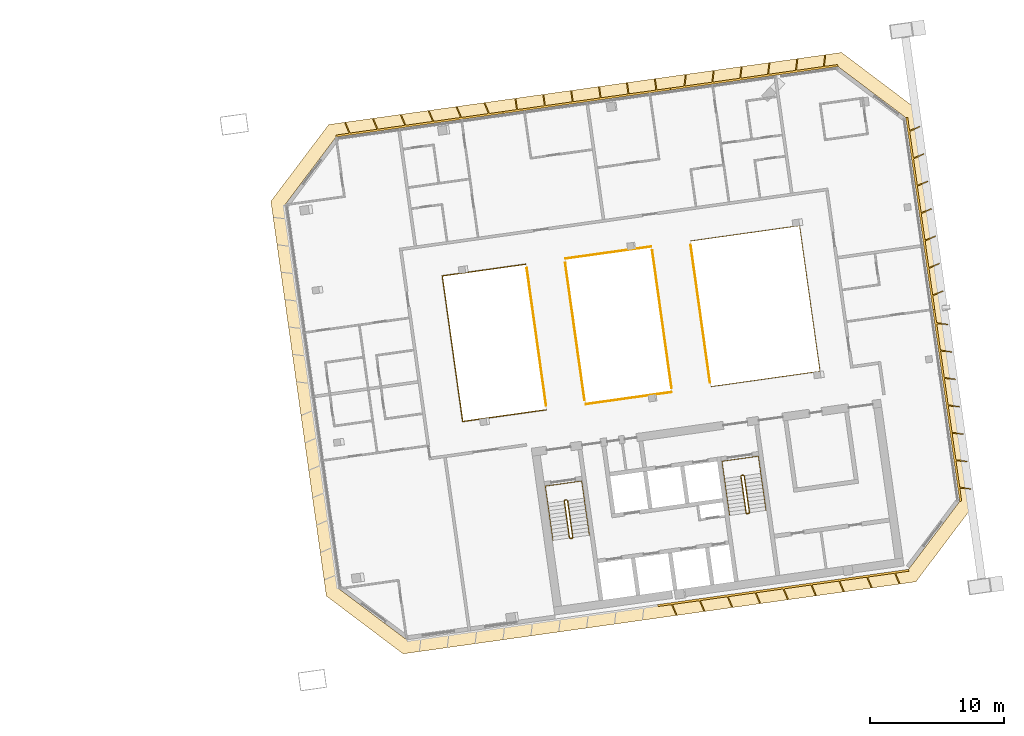
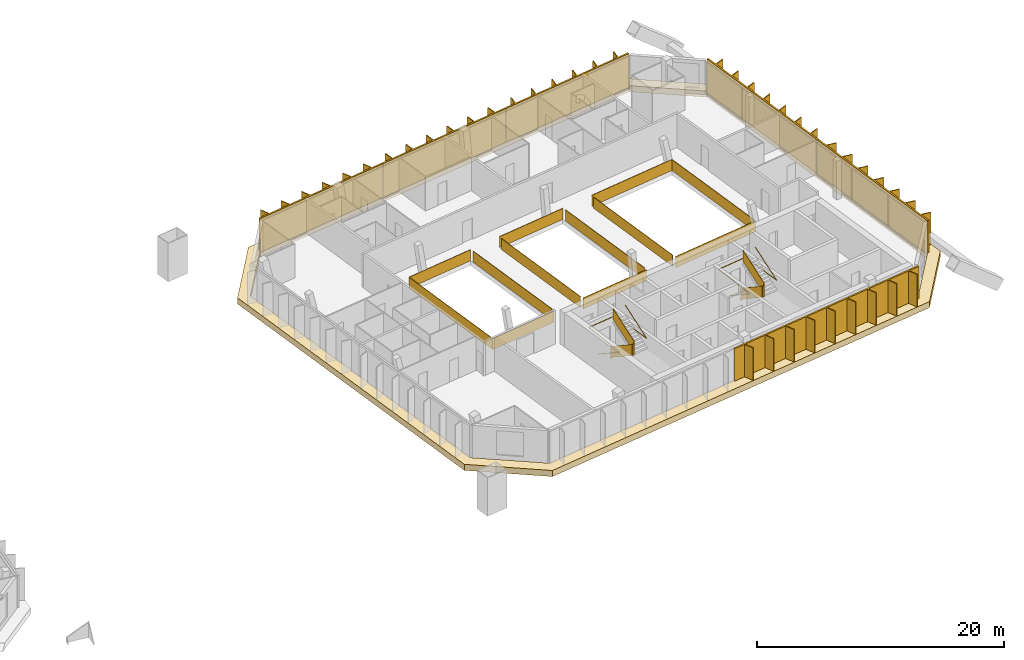
# One storey, part 25 of 25: 12 railings, 6 shading devices, 1 covering.
"""IFC4 building model written with IfcOpenShell, lengths in metres."""

from ifc_helpers import new_model, si_unit, direction, frame, origin, origin_2d, place, context, subcontext, project, spatial, polyline, rectangle, outline, extrude, material, layer, layer_set, type_object, element, save


model = new_model("IFC4")

# Units and contexts
model_context = context("Model", 3, precision=1e-05, world=origin(), true_north=direction((0.0, 1.0)))
body_context = subcontext(model_context, "Body", "Model", "MODEL_VIEW")
ifc_project = project(units=[si_unit("LENGTHUNIT", "METRE"), si_unit("AREAUNIT", "SQUARE_METRE"), si_unit("VOLUMEUNIT", "CUBIC_METRE"), si_unit("PLANEANGLEUNIT", "RADIAN"), si_unit("MASSUNIT", "GRAM", prefix="KILO")], contexts=[model_context])

# Site, building, storey
site_placement = place(None, origin())
site = spatial("IfcSite", under=ifc_project, at=site_placement, CompositionType="ELEMENT")
building_placement = place(site_placement, origin())
building = spatial("IfcBuilding", under=site, at=building_placement, Name="Mirante Cascada Hotel Towers", CompositionType="ELEMENT")
storey_placement = place(building_placement, frame((0.0, 0.0, 247.0)))
storey = spatial("IfcBuildingStorey", under=building, at=storey_placement, Name="L59", CompositionType="ELEMENT", Elevation=247.0)

# Railings
ifc_material_1 = material(Name="Toughened glass with stainless steel handrail", Category="steel")
railing_type_1 = type_object("IfcRailingType", Name="Atrium guard 1100 glass balustrade", PredefinedType="GUARDRAIL", material=ifc_material_1)
railing_1_placement = place(storey_placement, frame((35.1788, 6.4025, 0.0)))
element("IfcRailing", 1, at=railing_1_placement, inside=storey, type_object=railing_type_1, Name="GUARD 2-L59-1", PredefinedType="GUARDRAIL", context=body_context, shape_type="SweptSolid", body=[
    extrude(rectangle(XDim=0.048, YDim=0.048, at=origin_2d()), frame((0.0, 0.0, 1.076), z_axis=(-0.9902677, -0.1391758, 0.0), x_axis=(0.1391758, -0.9902677, 0.0)), (0.0, 0.0, 1.0), 6.2978),
    extrude(rectangle(XDim=0.02, YDim=1.052, at=origin_2d()), frame((0.0, 0.0, 0.526), z_axis=(-0.9902677, -0.1391758, 0.0), x_axis=(0.1391758, -0.9902677, 0.0)), (0.0, 0.0, 1.0), 6.2978),
    extrude(rectangle(XDim=0.048, YDim=0.048, at=origin_2d()), frame((-6.2365, -0.8765, 1.076), z_axis=(0.1391733, -0.990268, 0.0), x_axis=(0.990268, 0.1391733, 0.0)), (0.0, 0.0, 1.0), 11.0),
    extrude(rectangle(XDim=0.02, YDim=1.052, at=origin_2d()), frame((-6.2365, -0.8765, 0.526), z_axis=(0.1391733, -0.990268, 0.0), x_axis=(0.990268, 0.1391733, 0.0)), (0.0, 0.0, 1.0), 11.0),
    extrude(rectangle(XDim=0.048, YDim=0.048, at=origin_2d()), frame((-4.7056, -11.7694, 1.076), z_axis=(0.9902677, 0.1391758, 0.0), x_axis=(-0.1391758, 0.9902677, 0.0)), (0.0, 0.0, 1.0), 6.2978),
    extrude(rectangle(XDim=0.02, YDim=1.052, at=origin_2d()), frame((-4.7056, -11.7694, 0.526), z_axis=(0.9902677, 0.1391758, 0.0), x_axis=(-0.1391758, 0.9902677, 0.0)), (0.0, 0.0, 1.0), 6.2978),
])
railing_2_placement = place(storey_placement, frame((39.6805, -4.0729, 0.0)))
element("IfcRailing", 2, at=railing_2_placement, inside=storey, type_object=railing_type_1, Name="GUARD 2-L59-2", PredefinedType="GUARDRAIL", context=body_context, shape_type="SweptSolid", body=[
    extrude(rectangle(XDim=0.048, YDim=0.048, at=origin_2d()), frame((0.0, 0.0, 1.076), z_axis=(0.9902673, 0.1391787, 0.0), x_axis=(-0.1391787, 0.9902673, 0.0)), (0.0, 0.0, 1.0), 6.4809),
    extrude(rectangle(XDim=0.02, YDim=1.052, at=origin_2d()), frame((0.0, 0.0, 0.526), z_axis=(0.9902673, 0.1391787, 0.0), x_axis=(-0.1391787, 0.9902673, 0.0)), (0.0, 0.0, 1.0), 6.4809),
])
railing_3_placement = place(storey_placement, frame((44.5674, 7.722, 0.0)))
element("IfcRailing", 3, at=railing_3_placement, inside=storey, type_object=railing_type_1, Name="GUARD 2-L59-3", PredefinedType="GUARDRAIL", context=body_context, shape_type="SweptSolid", body=[
    extrude(rectangle(XDim=0.048, YDim=0.048, at=origin_2d()), frame((0.0, 0.0, 1.076), z_axis=(-0.9902673, -0.1391787, 0.0), x_axis=(0.1391787, -0.9902673, 0.0)), (0.0, 0.0, 1.0), 6.4809),
    extrude(rectangle(XDim=0.02, YDim=1.052, at=origin_2d()), frame((0.0, 0.0, 0.526), z_axis=(-0.9902673, -0.1391787, 0.0), x_axis=(0.1391787, -0.9902673, 0.0)), (0.0, 0.0, 1.0), 6.4809),
])
railing_4_placement = place(storey_placement, frame((49.0691, -2.7534, 0.0)))
element("IfcRailing", 4, at=railing_4_placement, inside=storey, type_object=railing_type_1, Name="GUARD 2-L59-4", PredefinedType="GUARDRAIL", context=body_context, shape_type="SweptSolid", body=[
    extrude(rectangle(XDim=0.048, YDim=0.048, at=origin_2d()), frame((0.0, 0.0, 1.076), z_axis=(0.9902678, 0.1391749, 0.0), x_axis=(-0.1391749, 0.9902678, 0.0)), (0.0, 0.0, 1.0), 8.2213),
    extrude(rectangle(XDim=0.02, YDim=1.052, at=origin_2d()), frame((0.0, 0.0, 0.526), z_axis=(0.9902678, 0.1391749, 0.0), x_axis=(-0.1391749, 0.9902678, 0.0)), (0.0, 0.0, 1.0), 8.2213),
    extrude(rectangle(XDim=0.048, YDim=0.048, at=origin_2d()), frame((8.1413, 1.1442, 1.076), z_axis=(-0.1391733, 0.990268, 0.0), x_axis=(-0.990268, -0.1391733, 0.0)), (0.0, 0.0, 1.0), 11.0),
    extrude(rectangle(XDim=0.02, YDim=1.052, at=origin_2d()), frame((8.1413, 1.1442, 0.526), z_axis=(-0.1391733, 0.990268, 0.0), x_axis=(-0.990268, -0.1391733, 0.0)), (0.0, 0.0, 1.0), 11.0),
    extrude(rectangle(XDim=0.048, YDim=0.048, at=origin_2d()), frame((6.6104, 12.0371, 1.076), z_axis=(-0.9902678, -0.1391749, 0.0), x_axis=(0.1391749, -0.9902678, 0.0)), (0.0, 0.0, 1.0), 8.2213),
    extrude(rectangle(XDim=0.02, YDim=1.052, at=origin_2d()), frame((6.6104, 12.0371, 0.526), z_axis=(-0.9902678, -0.1391749, 0.0), x_axis=(0.1391749, -0.9902678, 0.0)), (0.0, 0.0, 1.0), 8.2213),
])
railing_5_placement = place(storey_placement, frame((36.7171, -4.1908, 0.0)))
element("IfcRailing", 5, at=railing_5_placement, inside=storey, type_object=railing_type_1, Name="GUARD 2-L59-5", PredefinedType="GUARDRAIL", context=body_context, shape_type="SweptSolid", body=[
    extrude(rectangle(XDim=0.048, YDim=0.048, at=origin_2d()), frame((0.0, 0.0, 1.076), z_axis=(-0.1391721, 0.9902682, 0.0), x_axis=(-0.9902682, -0.1391721, 0.0)), (0.0, 0.0, 1.0), 10.4087),
    extrude(rectangle(XDim=0.02, YDim=1.052, at=origin_2d()), frame((0.0, 0.0, 0.526), z_axis=(-0.1391721, 0.9902682, 0.0), x_axis=(-0.9902682, -0.1391721, 0.0)), (0.0, 0.0, 1.0), 10.4087),
])
railing_6_placement = place(storey_placement, frame((38.1422, 6.5205, 0.0)))
element("IfcRailing", 6, at=railing_6_placement, inside=storey, type_object=railing_type_1, Name="GUARD 2-L59-6", PredefinedType="GUARDRAIL", context=body_context, shape_type="SweptSolid", body=[
    extrude(rectangle(XDim=0.048, YDim=0.048, at=origin_2d()), frame((0.0, 0.0, 1.076), z_axis=(0.1391708, -0.9902684, 0.0), x_axis=(0.9902684, 0.1391708, 0.0)), (0.0, 0.0, 1.0), 10.4088),
    extrude(rectangle(XDim=0.02, YDim=1.052, at=origin_2d()), frame((0.0, 0.0, 0.526), z_axis=(0.1391708, -0.9902684, 0.0), x_axis=(0.9902684, 0.1391708, 0.0)), (0.0, 0.0, 1.0), 10.4088),
])
railing_7_placement = place(storey_placement, frame((46.1057, -2.8714, 0.0)))
element("IfcRailing", 7, at=railing_7_placement, inside=storey, type_object=railing_type_1, Name="GUARD 2-L59-7", PredefinedType="GUARDRAIL", context=body_context, shape_type="SweptSolid", body=[
    extrude(rectangle(XDim=0.048, YDim=0.048, at=origin_2d()), frame((0.0, 0.0, 1.076), z_axis=(-0.1391721, 0.9902682, 0.0), x_axis=(-0.9902682, -0.1391721, 0.0)), (0.0, 0.0, 1.0), 10.4087),
    extrude(rectangle(XDim=0.02, YDim=1.052, at=origin_2d()), frame((0.0, 0.0, 0.526), z_axis=(-0.1391721, 0.9902682, 0.0), x_axis=(-0.9902682, -0.1391721, 0.0)), (0.0, 0.0, 1.0), 10.4087),
])
railing_8_placement = place(storey_placement, frame((47.5308, 7.8399, 0.0)))
element("IfcRailing", 8, at=railing_8_placement, inside=storey, type_object=railing_type_1, Name="GUARD 2-L59-8", PredefinedType="GUARDRAIL", context=body_context, shape_type="SweptSolid", body=[
    extrude(rectangle(XDim=0.048, YDim=0.048, at=origin_2d()), frame((0.0, 0.0, 1.076), z_axis=(0.1391721, -0.9902682, 0.0), x_axis=(0.9902682, 0.1391721, 0.0)), (0.0, 0.0, 1.0), 10.4087),
    extrude(rectangle(XDim=0.02, YDim=1.052, at=origin_2d()), frame((0.0, 0.0, 0.526), z_axis=(0.1391721, -0.9902682, 0.0), x_axis=(0.9902682, 0.1391721, 0.0)), (0.0, 0.0, 1.0), 10.4087),
])

# Covering
ifc_material_2 = material(Name="Precast concrete C40/50 white", Category="concrete")
ifc_layer = layer(ifc_material_2, 0.6)
ifc_layer_set = layer_set([ifc_layer], Name="Precast concrete SUNSHADE band 1000x600")
covering_type = type_object("IfcCoveringType", Name="Precast concrete SUNSHADE band 1000x600", PredefinedType="CLADDING", material=ifc_layer_set)
covering_placement = place(storey_placement, frame((0.0, 0.0, -0.45)))
element("IfcCovering", 9, at=covering_placement, inside=storey, type_object=covering_type, Name="Precast concrete SUNSHADE band T2 L59", PredefinedType="CLADDING", context=body_context, shape_type="SweptSolid", body=[
    extrude(outline(polyline([(16.1169, 11.1096), (20.4454, 16.8537), (58.8202, 22.247), (64.5643, 17.9185), (66.241, 5.988), (66.2184, 5.9746), (66.1895, 5.9535), (66.1628, 5.9296), (66.1385, 5.9032), (66.117, 5.8746), (66.0984, 5.844), (66.0828, 5.8117), (66.0705, 5.7781), (66.0616, 5.7434), (66.0561, 5.708), (66.0541, 5.6722), (66.0556, 5.6364), (66.1615, 4.4824), (66.1665, 4.4469), (66.175, 4.4121), (66.1868, 4.3783), (66.2019, 4.3458), (66.2201, 4.315), (66.2413, 4.286), (66.2652, 4.2593), (66.2915, 4.2351), (66.3202, 4.2136), (66.3508, 4.195), (66.383, 4.1794), (66.4167, 4.1671), (66.4514, 4.1582), (66.4868, 4.1527), (66.499, 4.152), (66.7808, 2.1468), (66.7693, 2.1428), (66.7367, 2.1277), (66.7059, 2.1096), (66.6769, 2.0885), (66.6502, 2.0647), (66.6259, 2.0383), (66.6043, 2.0097), (66.5856, 1.9792), (66.57, 1.9469), (66.5577, 1.9133), (66.5487, 1.8786), (66.5431, 1.8432), (66.541, 1.8075), (66.5425, 1.7717), (66.5475, 1.7362), (66.7638, 0.5977), (66.7722, 0.5628), (66.784, 0.529), (66.799, 0.4965), (66.8172, 0.4656), (66.8383, 0.4367), (66.8621, 0.4099), (66.8884, 0.3856), (66.917, 0.3641), (66.9476, 0.3454), (66.9798, 0.3298), (67.0134, 0.3174), (67.0389, 0.3108), (68.7156, -11.6197), (64.3871, -17.3638), (26.0123, -22.757), (20.2682, -18.4285), (16.1169, 11.1096)]), holes=[polyline([(67.6677, -11.3487), (63.6316, 17.3691), (58.5492, 21.199), (20.9947, 15.9211), (17.1648, 10.8386), (21.2008, -17.8791), (26.2833, -21.7091), (63.8377, -16.4311), (67.6677, -11.3487)])]), origin(), (0.0, 0.0, 1.0), 0.6),
])

# Railings
ifc_material_3 = material(Name="Painted steel", Category="steel")
railing_type_2 = type_object("IfcRailingType", Name="Stair guard 1100 steel balustrade", PredefinedType="GUARDRAIL", material=ifc_material_3)
railing_9_placement = place(storey_placement, frame((38.2663, -11.2395, 0.0)))
element("IfcRailing", 10, at=railing_9_placement, inside=storey, type_object=railing_type_2, Name="L59 ST2-A stair guard 1", PredefinedType="GUARDRAIL", context=body_context, shape_type="SweptSolid", body=[
    extrude(rectangle(XDim=0.048, YDim=0.048, at=origin_2d()), frame((0.0, 0.0, 1.076), z_axis=(-0.9903326, -0.1387133, 0.0), x_axis=(0.1387133, -0.9903326, 0.0)), (0.0, 0.0, 1.0), 0.1499),
    extrude(rectangle(XDim=0.02, YDim=1.052, at=origin_2d()), frame((0.0, 0.0, 0.526), z_axis=(-0.9903326, -0.1387133, 0.0), x_axis=(0.1387133, -0.9903326, 0.0)), (0.0, 0.0, 1.0), 0.1499),
    extrude(rectangle(XDim=0.048, YDim=0.048, at=origin_2d()), frame((-0.1485, -0.0208, 1.076), z_axis=(-0.6020331, -0.7984711, 0.0), x_axis=(0.7984711, -0.6020331, 0.0)), (0.0, 0.9253398, 0.3791387), 0.1866),
    extrude(rectangle(XDim=0.02, YDim=1.052, at=origin_2d()), frame((-0.1485, -0.0208, 0.526), z_axis=(-0.6020331, -0.7984711, 0.0), x_axis=(0.7984711, -0.6020331, 0.0)), (0.0, 0.9253398, 0.3791387), 0.1866),
    extrude(rectangle(XDim=0.048, YDim=0.048, at=origin_2d()), frame((-0.1911, -0.0773, 1.2487), z_axis=(0.139176, -0.9902677, 0.0), x_axis=(0.9902677, 0.139176, 0.0)), (0.0, 0.5250212, 0.8510891), 3.29),
    extrude(rectangle(XDim=0.02, YDim=1.052, at=origin_2d()), frame((-0.1911, -0.0773, 0.6987), z_axis=(0.139176, -0.9902677, 0.0), x_axis=(0.9902677, 0.139176, 0.0)), (0.0, 0.5250212, 0.8510891), 3.29),
    extrude(rectangle(XDim=0.048, YDim=0.048, at=origin_2d()), frame((0.1986, -2.8501, 2.976), z_axis=(0.9944948, -0.1047858, 0.0), x_axis=(0.1047858, 0.9944948, 0.0)), (0.0, 0.0, 1.0), 0.2061),
    extrude(rectangle(XDim=0.02, YDim=1.052, at=origin_2d()), frame((0.1986, -2.8501, 2.426), z_axis=(0.9944948, -0.1047858, 0.0), x_axis=(0.1047858, 0.9944948, 0.0)), (0.0, 0.0, 1.0), 0.2061),
    extrude(rectangle(XDim=0.048, YDim=0.048, at=origin_2d()), frame((0.4036, -2.8717, 2.976), z_axis=(-0.9902408, -0.1393672, 0.0), x_axis=(0.1393672, -0.9902408, 0.0)), (0.0, 0.0, 1.0), 0.15),
    extrude(rectangle(XDim=0.02, YDim=1.052, at=origin_2d()), frame((0.4036, -2.8717, 2.426), z_axis=(-0.9902408, -0.1393672, 0.0), x_axis=(0.1393672, -0.9902408, 0.0)), (0.0, 0.0, 1.0), 0.15),
    extrude(rectangle(XDim=0.048, YDim=0.048, at=origin_2d()), frame((0.2551, -2.8926, 2.976), z_axis=(0.9270311, 0.3749843, 0.0), x_axis=(-0.3749843, 0.9270311, 0.0)), (0.0, 0.6421903, 0.7665452), 0.2689),
    extrude(rectangle(XDim=0.02, YDim=1.052, at=origin_2d()), frame((0.2551, -2.8926, 2.426), z_axis=(0.9270311, 0.3749843, 0.0), x_axis=(-0.3749843, 0.9270311, 0.0)), (0.0, 0.6421903, 0.7665452), 0.2689),
    extrude(rectangle(XDim=0.048, YDim=0.048, at=origin_2d()), frame((0.4462, -2.8153, 3.1487), z_axis=(-0.139176, 0.9902677, 0.0), x_axis=(-0.9902677, -0.139176, 0.0)), (0.0, 0.5250212, 0.8510891), 3.29),
    extrude(rectangle(XDim=0.02, YDim=1.052, at=origin_2d()), frame((0.4462, -2.8153, 2.5987), z_axis=(-0.139176, 0.9902677, 0.0), x_axis=(-0.9902677, -0.139176, 0.0)), (0.0, 0.5250212, 0.8510891), 3.29),
])
railing_10_placement = place(storey_placement, frame((51.4864, -9.3815, 0.0)))
element("IfcRailing", 11, at=railing_10_placement, inside=storey, type_object=railing_type_2, Name="L59 ST2-B stair guard 1", PredefinedType="GUARDRAIL", context=body_context, shape_type="SweptSolid", body=[
    extrude(rectangle(XDim=0.048, YDim=0.048, at=origin_2d()), frame((0.0, 0.0, 1.076), z_axis=(-0.9902408, -0.1393672, 0.0), x_axis=(0.1393672, -0.9902408, 0.0)), (0.0, 0.0, 1.0), 0.15),
    extrude(rectangle(XDim=0.02, YDim=1.052, at=origin_2d()), frame((0.0, 0.0, 0.526), z_axis=(-0.9902408, -0.1393672, 0.0), x_axis=(0.1393672, -0.9902408, 0.0)), (0.0, 0.0, 1.0), 0.15),
    extrude(rectangle(XDim=0.048, YDim=0.048, at=origin_2d()), frame((-0.1485, -0.0209, 1.076), z_axis=(-0.6020331, -0.7984711, 0.0), x_axis=(0.7984711, -0.6020331, 0.0)), (0.0, 0.9253398, 0.3791387), 0.1866),
    extrude(rectangle(XDim=0.02, YDim=1.052, at=origin_2d()), frame((-0.1485, -0.0209, 0.526), z_axis=(-0.6020331, -0.7984711, 0.0), x_axis=(0.7984711, -0.6020331, 0.0)), (0.0, 0.9253398, 0.3791387), 0.1866),
    extrude(rectangle(XDim=0.048, YDim=0.048, at=origin_2d()), frame((-0.1911, -0.0774, 1.2487), z_axis=(0.139181, -0.990267, 0.0), x_axis=(0.990267, 0.139181, 0.0)), (0.0, 0.5250347, 0.8510808), 3.2899),
    extrude(rectangle(XDim=0.02, YDim=1.052, at=origin_2d()), frame((-0.1911, -0.0774, 0.6987), z_axis=(0.139181, -0.990267, 0.0), x_axis=(0.990267, 0.139181, 0.0)), (0.0, 0.5250347, 0.8510808), 3.2899),
    extrude(rectangle(XDim=0.048, YDim=0.048, at=origin_2d()), frame((0.1986, -2.8501, 2.976), z_axis=(0.9944441, -0.1052656, 0.0), x_axis=(0.1052656, 0.9944441, 0.0)), (0.0, 0.0, 1.0), 0.2061),
    extrude(rectangle(XDim=0.02, YDim=1.052, at=origin_2d()), frame((0.1986, -2.8501, 2.426), z_axis=(0.9944441, -0.1052656, 0.0), x_axis=(0.1052656, 0.9944441, 0.0)), (0.0, 0.0, 1.0), 0.2061),
    extrude(rectangle(XDim=0.048, YDim=0.048, at=origin_2d()), frame((0.4036, -2.8718, 2.976), z_axis=(-0.9902408, -0.1393672, 0.0), x_axis=(0.1393672, -0.9902408, 0.0)), (0.0, 0.0, 1.0), 0.15),
    extrude(rectangle(XDim=0.02, YDim=1.052, at=origin_2d()), frame((0.4036, -2.8718, 2.426), z_axis=(-0.9902408, -0.1393672, 0.0), x_axis=(0.1393672, -0.9902408, 0.0)), (0.0, 0.0, 1.0), 0.15),
    extrude(rectangle(XDim=0.048, YDim=0.048, at=origin_2d()), frame((0.2551, -2.8927, 2.976), z_axis=(0.9268624, 0.3754011, 0.0), x_axis=(-0.3754011, 0.9268624, 0.0)), (0.0, 0.6421217, 0.7666028), 0.269),
    extrude(rectangle(XDim=0.02, YDim=1.052, at=origin_2d()), frame((0.2551, -2.8927, 2.426), z_axis=(0.9268624, 0.3754011, 0.0), x_axis=(-0.3754011, 0.9268624, 0.0)), (0.0, 0.6421217, 0.7666028), 0.269),
    extrude(rectangle(XDim=0.048, YDim=0.048, at=origin_2d()), frame((0.4462, -2.8153, 3.1487), z_axis=(-0.139181, 0.990267, 0.0), x_axis=(-0.990267, -0.139181, 0.0)), (0.0, 0.5250347, 0.8510808), 3.2899),
    extrude(rectangle(XDim=0.02, YDim=1.052, at=origin_2d()), frame((0.4462, -2.8153, 2.5987), z_axis=(-0.139181, 0.990267, 0.0), x_axis=(-0.990267, -0.139181, 0.0)), (0.0, 0.5250347, 0.8510808), 3.2899),
])
ifc_material_4 = material(Name="Painted steel", Category="steel")
railing_type_3 = type_object("IfcRailingType", Name="Stair handrail 900 steel tube", PredefinedType="HANDRAIL", material=ifc_material_4)
railing_11_placement = place(storey_placement, frame((36.8374, -11.4908, 0.1727)))
element("IfcRailing", 12, at=railing_11_placement, inside=storey, type_object=railing_type_3, Name="L59 ST2-A stair handrail 1", PredefinedType="HANDRAIL", context=body_context, shape_type="SweptSolid", body=[
    extrude(rectangle(XDim=0.048, YDim=0.048, at=origin_2d()), frame((0.0, 0.0, 0.876), z_axis=(0.139181, -0.990267, 0.0), x_axis=(0.990267, 0.139181, 0.0)), (0.0, 0.5250347, 0.8510808), 3.2899),
    extrude(rectangle(XDim=0.048, YDim=0.048, at=origin_2d()), frame((0.3897, -2.7727, 2.6033), z_axis=(-0.1391707, 0.9902684, 0.0), x_axis=(-0.9902684, -0.1391707, 0.0)), (0.0, 0.0420846, 0.999114), 4.1036),
    extrude(rectangle(XDim=0.048, YDim=0.048, at=origin_2d()), frame((-0.1809, 1.2874, 2.776), z_axis=(0.9902691, 0.1391657, 0.0), x_axis=(-0.1391657, 0.9902691, 0.0)), (0.0, 0.0, 1.0), 2.75),
    extrude(rectangle(XDim=0.048, YDim=0.048, at=origin_2d()), frame((2.5423, 1.6701, 2.776), z_axis=(0.1391707, -0.9902684, 0.0), x_axis=(0.9902684, 0.1391707, 0.0)), (0.0, 0.0, 1.0), 4.1),
    extrude(rectangle(XDim=0.048, YDim=0.048, at=origin_2d()), frame((3.1129, -2.39, 2.776), z_axis=(-0.139181, 0.990267, 0.0), x_axis=(-0.990267, -0.139181, 0.0)), (0.0, 0.5250347, 0.8510808), 3.2899),
])
railing_12_placement = place(storey_placement, frame((50.0575, -9.6328, 0.1727)))
element("IfcRailing", 13, at=railing_12_placement, inside=storey, type_object=railing_type_3, Name="L59 ST2-B stair handrail 1", PredefinedType="HANDRAIL", context=body_context, shape_type="SweptSolid", body=[
    extrude(rectangle(XDim=0.048, YDim=0.048, at=origin_2d()), frame((0.0, 0.0, 0.876), z_axis=(0.139176, -0.9902677, 0.0), x_axis=(0.9902677, 0.139176, 0.0)), (0.0, 0.5250212, 0.8510891), 3.29),
    extrude(rectangle(XDim=0.048, YDim=0.048, at=origin_2d()), frame((0.3897, -2.7728, 2.6033), z_axis=(-0.1391707, 0.9902684, 0.0), x_axis=(-0.9902684, -0.1391707, 0.0)), (0.0, 0.0420846, 0.999114), 4.1036),
    extrude(rectangle(XDim=0.048, YDim=0.048, at=origin_2d()), frame((-0.1809, 1.2873, 2.776), z_axis=(0.9902641, 0.1392013, 0.0), x_axis=(-0.1392013, 0.9902641, 0.0)), (0.0, 0.0, 1.0), 2.75),
    extrude(rectangle(XDim=0.048, YDim=0.048, at=origin_2d()), frame((2.5423, 1.6701, 2.776), z_axis=(0.1391707, -0.9902684, 0.0), x_axis=(0.9902684, 0.1391707, 0.0)), (0.0, 0.0, 1.0), 4.1),
    extrude(rectangle(XDim=0.048, YDim=0.048, at=origin_2d()), frame((3.1129, -2.39, 2.776), z_axis=(-0.139181, 0.990267, 0.0), x_axis=(-0.990267, -0.139181, 0.0)), (0.0, 0.5250347, 0.8510808), 3.2899),
])

# Shading devices
ifc_material_5 = material(Name="White precast concrete C50/60 fin", Category="concrete")
shading_device_type = type_object("IfcShadingDeviceType", Name="Vertical fin set 4500x900", PredefinedType="USERDEFINED", material=ifc_material_5)
shading_device_1_placement = place(storey_placement, origin())
element("IfcShadingDevice", 14, at=shading_device_1_placement, inside=storey, type_object=shading_device_type, Name="FIN T2 L59 front 1", ObjectType="FIN", PredefinedType="USERDEFINED", context=body_context, shape_type="SweptSolid", body=[
    extrude(outline(polyline([(47.2097, 20.5738), (47.1076, 19.7425), (49.1119, 20.0242), (49.2166, 20.8768), (49.296, 20.867), (49.1939, 20.0357), (51.1983, 20.3174), (51.303, 21.17), (51.3824, 21.1602), (51.2803, 20.3289), (53.2846, 20.6106), (53.3893, 21.4632), (53.4687, 21.4534), (53.3667, 20.6222), (55.371, 20.9039), (55.4757, 21.7564), (55.5551, 21.7467), (55.453, 20.9154), (57.4574, 21.1971), (57.562, 22.0496), (57.6414, 22.0399), (57.5394, 21.2086), (58.5283, 21.3476), (58.5492, 21.199), (46.031, 19.4397), (46.0101, 19.5883), (47.0256, 19.731), (47.1303, 20.5835), (47.2097, 20.5738)])), origin(), (0.0, 0.0, 1.0), 3.35),
])
shading_device_2_placement = place(storey_placement, origin())
element("IfcShadingDevice", 15, at=shading_device_2_placement, inside=storey, type_object=shading_device_type, Name="FIN T2 L59 front 2", ObjectType="FIN", PredefinedType="USERDEFINED", context=body_context, shape_type="SweptSolid", body=[
    extrude(outline(polyline([(34.4565, 18.8229), (34.5748, 17.9811), (36.5819, 18.2632), (36.4636, 19.105), (36.5428, 19.1161), (36.6611, 18.2744), (38.6683, 18.5564), (38.55, 19.3982), (38.6292, 19.4093), (38.7475, 18.5676), (40.7546, 18.8497), (40.6363, 19.6914), (40.7156, 19.7025), (40.8339, 18.8608), (42.841, 19.1429), (42.7227, 19.9846), (42.8019, 19.9957), (42.9202, 19.154), (44.9273, 19.4361), (44.809, 20.2778), (44.8883, 20.289), (45.0066, 19.4472), (46.0101, 19.5883), (46.031, 19.4397), (33.5129, 17.6804), (33.492, 17.829), (34.4956, 17.97), (34.3773, 18.8117), (34.4565, 18.8229)])), origin(), (0.0, 0.0, 1.0), 3.35),
])
shading_device_3_placement = place(storey_placement, origin())
element("IfcShadingDevice", 16, at=shading_device_3_placement, inside=storey, type_object=shading_device_type, Name="FIN T2 L59 front 3", ObjectType="FIN", PredefinedType="USERDEFINED", context=body_context, shape_type="SweptSolid", body=[
    extrude(outline(polyline([(21.7091, 17.0108), (22.0448, 16.2202), (24.0491, 16.5019), (23.7219, 17.2728), (23.7955, 17.3041), (24.1311, 16.5134), (26.1355, 16.7951), (25.8082, 17.566), (25.8819, 17.5973), (26.2175, 16.8066), (28.2218, 17.0883), (27.8946, 17.8592), (27.9682, 17.8905), (28.3038, 17.0998), (30.3082, 17.3815), (29.9809, 18.1524), (30.0546, 18.1837), (30.3902, 17.393), (32.3945, 17.6747), (32.0673, 18.4457), (32.1409, 18.4769), (32.4766, 17.6863), (33.492, 17.829), (33.5129, 17.6804), (20.9947, 15.9211), (20.9738, 16.0697), (21.9627, 16.2086), (21.6355, 16.9796), (21.7091, 17.0108)])), origin(), (0.0, 0.0, 1.0), 3.35),
])
shading_device_4_placement = place(storey_placement, origin())
element("IfcShadingDevice", 17, at=shading_device_4_placement, inside=storey, type_object=shading_device_type, Name="FIN T2 L59 outer 1", ObjectType="FIN", PredefinedType="USERDEFINED", context=body_context, shape_type="SweptSolid", body=[
    extrude(outline(polyline([(68.511, -10.4585), (67.6797, -10.3564), (67.8162, -11.3278), (67.6677, -11.3487), (65.6497, 3.0102), (65.7982, 3.0311), (65.9384, 2.0332), (66.791, 1.9285), (66.7812, 1.8491), (65.95, 1.9512), (66.2267, -0.0181), (67.0793, -0.1227), (67.0695, -0.2021), (66.2382, -0.1001), (66.515, -2.0693), (67.3676, -2.174), (67.3578, -2.2534), (66.5265, -2.1513), (66.8033, -4.1206), (67.6558, -4.2253), (67.6461, -4.3047), (66.8148, -4.2026), (67.0916, -6.1719), (67.9441, -6.2765), (67.9344, -6.3559), (67.1031, -6.2539), (67.3799, -8.2231), (68.2324, -8.3278), (68.2227, -8.4072), (67.3914, -8.3052), (67.6682, -10.2744), (68.5207, -10.3791), (68.511, -10.4585)])), origin(), (0.0, 0.0, 1.0), 3.35),
])
shading_device_5_placement = place(storey_placement, origin())
element("IfcShadingDevice", 18, at=shading_device_5_placement, inside=storey, type_object=shading_device_type, Name="FIN T2 L59 outer 2", ObjectType="FIN", PredefinedType="USERDEFINED", context=body_context, shape_type="SweptSolid", body=[
    extrude(outline(polyline([(66.4486, 4.3646), (65.6579, 4.029), (65.7982, 3.0311), (65.6497, 3.0102), (63.6316, 17.3691), (63.7802, 17.39), (63.9167, 16.4186), (64.6876, 16.7459), (64.7189, 16.6722), (63.9282, 16.3366), (64.205, 14.3674), (64.9759, 14.6946), (65.0072, 14.621), (64.2165, 14.2853), (64.4933, 12.3161), (65.2642, 12.6433), (65.2955, 12.5697), (64.5048, 12.2341), (64.7816, 10.2648), (65.5525, 10.5921), (65.5838, 10.5184), (64.7931, 10.1828), (65.0698, 8.2136), (65.8408, 8.5408), (65.872, 8.4672), (65.0814, 8.1315), (65.3581, 6.1623), (66.1291, 6.4895), (66.1603, 6.4159), (65.3697, 6.0803), (65.6464, 4.111), (66.4174, 4.4383), (66.4486, 4.3646)])), origin(), (0.0, 0.0, 1.0), 3.35),
])
shading_device_6_placement = place(storey_placement, origin())
element("IfcShadingDevice", 19, at=shading_device_6_placement, inside=storey, type_object=shading_device_type, Name="FIN T2 L59 rear 2", ObjectType="FIN", PredefinedType="USERDEFINED", context=body_context, shape_type="SweptSolid", body=[
    extrude(outline(polyline([(46.4324, -19.8666), (46.0968, -19.0759), (45.0814, -19.2186), (45.0605, -19.0701), (63.8377, -16.4311), (63.8586, -16.5797), (62.8697, -16.7187), (63.1969, -17.4896), (63.1233, -17.5209), (62.7877, -16.7302), (60.7833, -17.0119), (61.1106, -17.7828), (61.037, -17.8141), (60.7013, -17.0234), (58.697, -17.3051), (59.0242, -18.076), (58.9506, -18.1073), (58.615, -17.3166), (56.6106, -17.5983), (56.9379, -18.3693), (56.8642, -18.4005), (56.5286, -17.6098), (54.5243, -17.8915), (54.8515, -18.6625), (54.7779, -18.6937), (54.4423, -17.9031), (52.4379, -18.1848), (52.7652, -18.9557), (52.6915, -18.987), (52.3559, -18.1963), (50.3516, -18.478), (50.6788, -19.2489), (50.6052, -19.2802), (50.2695, -18.4895), (48.2652, -18.7712), (48.5924, -19.5421), (48.5188, -19.5734), (48.1832, -18.7827), (46.1788, -19.0644), (46.5061, -19.8353), (46.4324, -19.8666)])), origin(), (0.0, 0.0, 1.0), 3.35),
])

save(model, "model.ifc")
